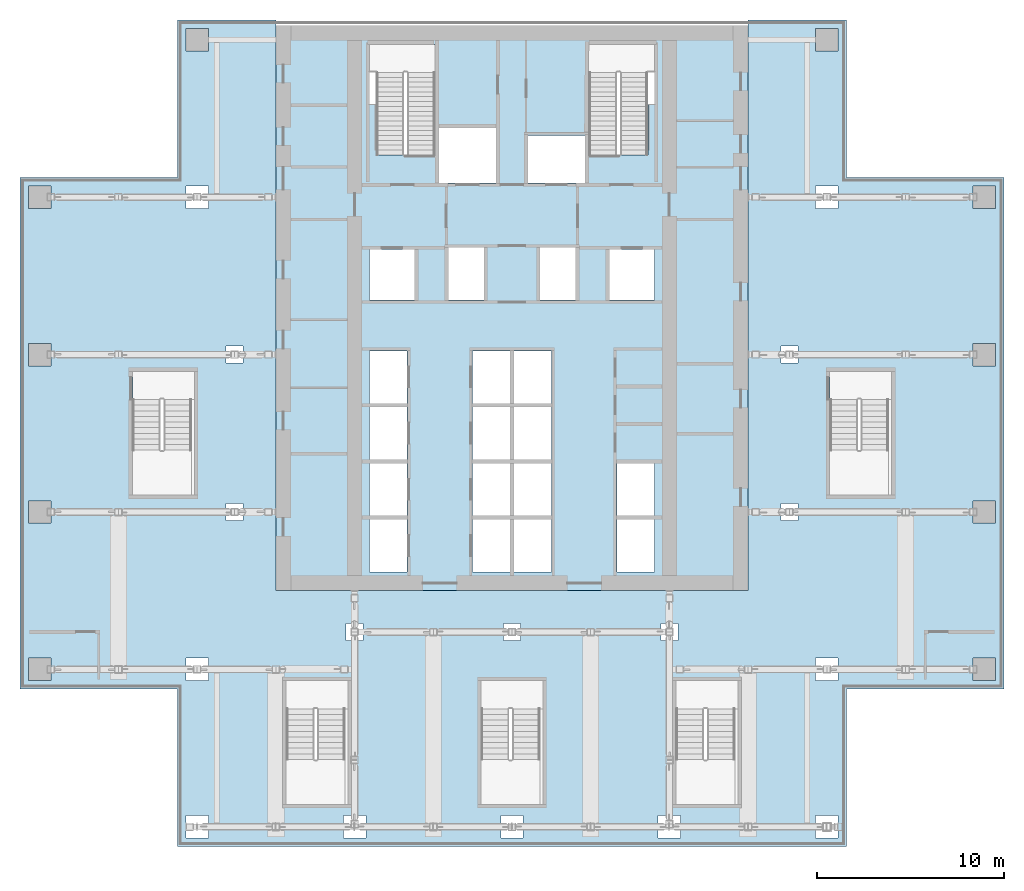
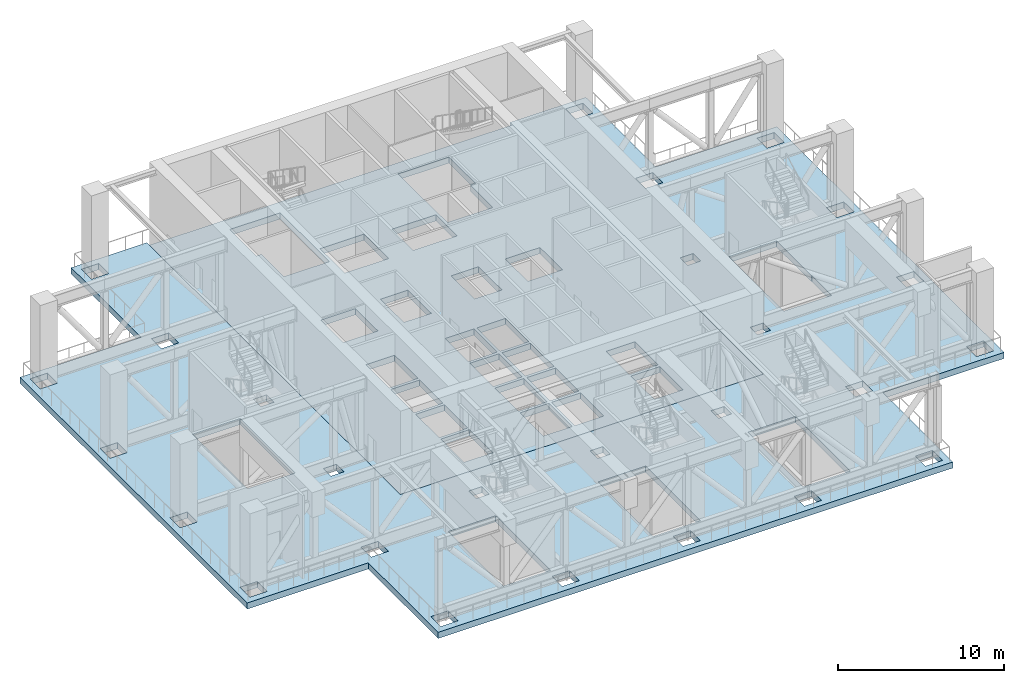
# One storey, part 7 of 23: 2 slabs.
"""IFC4 building model written with IfcOpenShell, lengths in metres."""

from ifc_helpers import new_model, si_unit, direction, frame, origin, place, context, subcontext, project, spatial, polyline, outline, extrude, material, layer, layer_set, type_object, element, save


model = new_model("IFC4")

# Units and contexts
model_context = context("Model", 3, precision=1e-05, world=origin(), true_north=direction((0.0, 1.0)))
body_context = subcontext(model_context, "Body", "Model", "MODEL_VIEW")
ifc_project = project(units=[si_unit("LENGTHUNIT", "METRE"), si_unit("AREAUNIT", "SQUARE_METRE"), si_unit("VOLUMEUNIT", "CUBIC_METRE"), si_unit("PLANEANGLEUNIT", "RADIAN"), si_unit("MASSUNIT", "GRAM", prefix="KILO")], contexts=[model_context])

# Site, building, storey
site_placement = place(None, origin())
site = spatial("IfcSite", under=ifc_project, at=site_placement, CompositionType="ELEMENT")
building_placement = place(site_placement, origin())
building = spatial("IfcBuilding", under=site, at=building_placement, Name="Vermilion Ogive Tower", CompositionType="ELEMENT")
storey_placement = place(building_placement, frame((0.0, 0.0, 121.800048828125)))
storey = spatial("IfcBuildingStorey", under=building, at=storey_placement, Name="L31", CompositionType="ELEMENT", Elevation=121.800048828125)

# Slabs
ifc_material_1 = material(Name="Concrete B40", Category="concrete")
ifc_layer_1 = layer(ifc_material_1, 0.449951171875)
ifc_layer_set_1 = layer_set([ifc_layer_1], Name="Core floor slab 450 B40")
slab_type_1 = type_object("IfcSlabType", Name="Core floor slab 450 B40", PredefinedType="FLOOR", material=ifc_layer_set_1)
slab_1_placement = place(storey_placement, frame((0.0, 0.0, -0.449951171875)))
element("IfcSlab", 1, at=slab_1_placement, inside=storey, type_object=slab_type_1, Name="L31-CK-FS1", PredefinedType="FLOOR", context=body_context, shape_type="SweptSolid", body=[
    extrude(outline(polyline([(12.60009765625, 21.75), (-12.60009765625, 21.75), (-12.60009765625, -8.39990234375), (12.60009765625, -8.39990234375), (12.60009765625, 21.75)]), holes=[polyline([(-7.60009765625, -4.60009765625), (-5.60009765625, -4.60009765625), (-5.60009765625, -7.39990234375), (-7.60009765625, -7.39990234375), (-7.60009765625, -4.60009765625)]), polyline([(-2.10009765625, -4.60009765625), (-0.10009765625, -4.60009765625), (-0.10009765625, -7.39990234375), (-2.10009765625, -7.39990234375), (-2.10009765625, -4.60009765625)]), polyline([(-7.60009765625, -4.39990234375), (-7.60009765625, -1.60009765625), (-5.60009765625, -1.60009765625), (-5.60009765625, -4.39990234375), (-7.60009765625, -4.39990234375)]), polyline([(-2.10009765625, -1.60009765625), (-0.10009765625, -1.60009765625), (-0.10009765625, -4.39990234375), (-2.10009765625, -4.39990234375), (-2.10009765625, -1.60009765625)]), polyline([(-7.60009765625, -1.39990234375), (-7.60009765625, 1.39990234375), (-5.60009765625, 1.39990234375), (-5.60009765625, -1.39990234375), (-7.60009765625, -1.39990234375)]), polyline([(-2.10009765625, 1.39990234375), (-0.10009765625, 1.39990234375), (-0.10009765625, -1.39990234375), (-2.10009765625, -1.39990234375), (-2.10009765625, 1.39990234375)]), polyline([(-7.60009765625, 4.39990234375), (-5.60009765625, 4.39990234375), (-5.60009765625, 1.60009765625), (-7.60009765625, 1.60009765625), (-7.60009765625, 4.39990234375)]), polyline([(-2.10009765625, 4.39990234375), (-0.10009765625, 4.39990234375), (-0.10009765625, 1.60009765625), (-2.10009765625, 1.60009765625), (-2.10009765625, 4.39990234375)]), polyline([(-7.60009765625, 9.800048828125), (-5.199951171875, 9.800048828125), (-5.199951171875, 7.10009765625), (-7.60009765625, 7.10009765625), (-7.60009765625, 9.800048828125)]), polyline([(-3.39990234375, 9.89990234375), (-1.5, 9.89990234375), (-1.5, 7.10009765625), (-3.39990234375, 7.10009765625), (-3.39990234375, 9.89990234375)]), polyline([(-3.89990234375, 16.300048828125), (-0.85009765625, 16.300048828125), (-0.85009765625, 13.35009765625), (-3.89990234375, 13.35009765625), (-3.89990234375, 16.300048828125)]), polyline([(-7.60009765625, 17.550048828125), (-7.60009765625, 20.75), (-4.10009765625, 20.75), (-4.10009765625, 14.85205078125), (-5.60009765625, 14.85205078125), (-5.60009765625, 14.85009765625), (-5.75, 14.85009765625), (-5.75, 14.85205078125), (-7.25, 14.85205078125), (-7.25, 17.550048828125), (-7.60009765625, 17.550048828125)]), polyline([(0.10009765625, -4.60009765625), (2.10009765625, -4.60009765625), (2.10009765625, -7.39990234375), (0.10009765625, -7.39990234375), (0.10009765625, -4.60009765625)]), polyline([(5.60009765625, -4.60009765625), (7.60009765625, -4.60009765625), (7.60009765625, -7.39990234375), (5.60009765625, -7.39990234375), (5.60009765625, -4.60009765625)]), polyline([(0.10009765625, -1.60009765625), (2.10009765625, -1.60009765625), (2.10009765625, -4.39990234375), (0.10009765625, -4.39990234375), (0.10009765625, -1.60009765625)]), polyline([(5.60009765625, -1.60009765625), (7.60009765625, -1.60009765625), (7.60009765625, -4.39990234375), (5.60009765625, -4.39990234375), (5.60009765625, -1.60009765625)]), polyline([(0.10009765625, 1.39990234375), (2.10009765625, 1.39990234375), (2.10009765625, -1.39990234375), (0.10009765625, -1.39990234375), (0.10009765625, 1.39990234375)]), polyline([(0.10009765625, 4.39990234375), (2.10009765625, 4.39990234375), (2.10009765625, 1.60009765625), (0.10009765625, 1.60009765625), (0.10009765625, 4.39990234375)]), polyline([(5.199951171875, 9.800048828125), (7.60009765625, 9.800048828125), (7.60009765625, 7.10009765625), (5.199951171875, 7.10009765625), (5.199951171875, 9.800048828125)]), polyline([(1.5, 9.89990234375), (3.39990234375, 9.89990234375), (3.39990234375, 7.10009765625), (1.5, 7.10009765625), (1.5, 9.89990234375)]), polyline([(0.85009765625, 15.89990234375), (3.89990234375, 15.89990234375), (3.89990234375, 13.35009765625), (0.85009765625, 13.35009765625), (0.85009765625, 15.89990234375)]), polyline([(5.75, 14.85009765625), (5.60009765625, 14.85009765625), (5.60009765625, 14.85205078125), (4.10009765625, 14.85205078125), (4.10009765625, 17.550048828125), (4.074951171875, 17.550048828125), (4.074951171875, 20.75), (7.60009765625, 20.75), (7.60009765625, 17.550048828125), (7.25, 17.550048828125), (7.25, 14.85205078125), (5.75, 14.85205078125), (5.75, 14.85009765625)])]), origin(), (0.0, 0.0, 1.0), 0.449951171875),
])
ifc_material_2 = material(Name="Concrete B45", Category="concrete")
ifc_layer_2 = layer(ifc_material_2, 0.449951171875)
ifc_layer_set_2 = layer_set([ifc_layer_2], Name="Post-tensioned flat plate 450 B45")
slab_type_2 = type_object("IfcSlabType", Name="Post-tensioned flat plate 450 B45", PredefinedType="FLOOR", material=ifc_layer_set_2)
slab_2_placement = place(storey_placement, frame((0.0, 0.0, -0.449951171875)))
element("IfcSlab", 2, at=slab_2_placement, inside=storey, type_object=slab_type_2, Name="L31-SL-1", PredefinedType="FLOOR", context=body_context, shape_type="SweptSolid", body=[
    extrude(outline(polyline([(-26.25, -13.64990234375), (-17.85009765625, -13.64990234375), (-17.85009765625, -22.050048828125), (17.85009765625, -22.050048828125), (17.85009765625, -13.64990234375), (26.25, -13.64990234375), (26.25, 13.64990234375), (17.85009765625, 13.64990234375), (17.85009765625, 22.050048828125), (12.60009765625, 22.050048828125), (12.60009765625, -8.39990234375), (-12.60009765625, -8.39990234375), (-12.60009765625, 22.050048828125), (-17.85009765625, 22.050048828125), (-17.85009765625, 13.64990234375), (-26.25, 13.64990234375), (-26.25, -13.64990234375)]), holes=[polyline([(25.800048828125, 13.199951171875), (25.800048828125, 12.0), (24.60009765625, 12.0), (24.60009765625, 13.199951171875), (25.800048828125, 13.199951171875)]), polyline([(25.800048828125, 4.800048828125), (25.800048828125, 3.60009765625), (24.60009765625, 3.60009765625), (24.60009765625, 4.800048828125), (25.800048828125, 4.800048828125)]), polyline([(25.800048828125, -3.60009765625), (25.800048828125, -4.800048828125), (24.60009765625, -4.800048828125), (24.60009765625, -3.60009765625), (25.800048828125, -3.60009765625)]), polyline([(25.800048828125, -12.0), (25.800048828125, -13.199951171875), (24.60009765625, -13.199951171875), (24.60009765625, -12.0), (25.800048828125, -12.0)]), polyline([(20.25, -3.2998046875), (20.25, -3.300048828125), (16.949951171875, -3.300048828125), (16.949951171875, 3.300048828125), (20.25, 3.300048828125), (20.25, -0.89990234375), (20.275146484375, -0.89990234375), (20.275146484375, -3.2998046875), (20.25, -3.2998046875)]), polyline([(17.39990234375, 13.199951171875), (17.39990234375, 12.0), (16.199951171875, 12.0), (16.199951171875, 13.199951171875), (17.39990234375, 13.199951171875)]), polyline([(17.39990234375, -20.39990234375), (17.39990234375, -21.60009765625), (16.199951171875, -21.60009765625), (16.199951171875, -20.39990234375), (17.39990234375, -20.39990234375)]), polyline([(17.39990234375, -12.0), (17.39990234375, -13.199951171875), (16.199951171875, -13.199951171875), (16.199951171875, -12.0), (17.39990234375, -12.0)]), polyline([(17.39990234375, 21.60009765625), (17.39990234375, 20.39990234375), (16.199951171875, 20.39990234375), (16.199951171875, 21.60009765625), (17.39990234375, 21.60009765625)]), polyline([(15.25, 4.64990234375), (15.25, 3.75), (14.35009765625, 3.75), (14.35009765625, 4.64990234375), (15.25, 4.64990234375)]), polyline([(15.25, -3.75), (15.25, -4.64990234375), (14.35009765625, -4.64990234375), (14.35009765625, -3.75), (15.25, -3.75)]), polyline([(12.050048828125, -13.199951171875), (12.050048828125, -19.800048828125), (8.75, -19.800048828125), (8.75, -13.199951171875), (12.050048828125, -13.199951171875)]), polyline([(9.0, -20.39990234375), (9.0, -21.60009765625), (7.800048828125, -21.60009765625), (7.800048828125, -20.39990234375), (9.0, -20.39990234375)]), polyline([(8.85009765625, -10.14990234375), (8.85009765625, -11.050048828125), (7.949951171875, -11.050048828125), (7.949951171875, -10.14990234375), (8.85009765625, -10.14990234375)]), polyline([(1.64990234375, -13.199951171875), (1.64990234375, -19.800048828125), (-1.64990234375, -19.800048828125), (-1.64990234375, -13.199951171875), (1.64990234375, -13.199951171875)]), polyline([(0.60009765625, -20.39990234375), (0.60009765625, -21.60009765625), (-0.60009765625, -21.60009765625), (-0.60009765625, -20.39990234375), (0.60009765625, -20.39990234375)]), polyline([(0.449951171875, -10.14990234375), (0.449951171875, -11.050048828125), (-0.449951171875, -11.050048828125), (-0.449951171875, -10.14990234375), (0.449951171875, -10.14990234375)]), polyline([(-7.800048828125, -20.39990234375), (-7.800048828125, -21.60009765625), (-9.0, -21.60009765625), (-9.0, -20.39990234375), (-7.800048828125, -20.39990234375)]), polyline([(-7.949951171875, -10.14990234375), (-7.949951171875, -11.050048828125), (-8.85009765625, -11.050048828125), (-8.85009765625, -10.14990234375), (-7.949951171875, -10.14990234375)]), polyline([(-8.75, -13.199951171875), (-8.75, -19.800048828125), (-12.050048828125, -19.800048828125), (-12.050048828125, -13.199951171875), (-8.75, -13.199951171875)]), polyline([(-14.35009765625, 4.64990234375), (-14.35009765625, 3.75), (-15.25, 3.75), (-15.25, 4.64990234375), (-14.35009765625, 4.64990234375)]), polyline([(-14.35009765625, -3.75), (-14.35009765625, -4.64990234375), (-15.25, -4.64990234375), (-15.25, -3.75), (-14.35009765625, -3.75)]), polyline([(-16.199951171875, 21.60009765625), (-16.199951171875, 20.39990234375), (-17.39990234375, 20.39990234375), (-17.39990234375, 21.60009765625), (-16.199951171875, 21.60009765625)]), polyline([(-16.199951171875, 13.199951171875), (-16.199951171875, 12.0), (-17.39990234375, 12.0), (-17.39990234375, 13.199951171875), (-16.199951171875, 13.199951171875)]), polyline([(-16.199951171875, -12.0), (-16.199951171875, -13.199951171875), (-17.39990234375, -13.199951171875), (-17.39990234375, -12.0), (-16.199951171875, -12.0)]), polyline([(-16.199951171875, -20.39990234375), (-16.199951171875, -21.60009765625), (-17.39990234375, -21.60009765625), (-17.39990234375, -20.39990234375), (-16.199951171875, -20.39990234375)]), polyline([(-16.949951171875, 3.300048828125), (-16.949951171875, -3.300048828125), (-20.25, -3.300048828125), (-20.25, 3.300048828125), (-16.949951171875, 3.300048828125)]), polyline([(-24.60009765625, -12.0), (-24.60009765625, -13.199951171875), (-25.800048828125, -13.199951171875), (-25.800048828125, -12.0), (-24.60009765625, -12.0)]), polyline([(-24.60009765625, 13.199951171875), (-24.60009765625, 12.0), (-25.800048828125, 12.0), (-25.800048828125, 13.199951171875), (-24.60009765625, 13.199951171875)]), polyline([(-24.60009765625, 4.800048828125), (-24.60009765625, 3.60009765625), (-25.800048828125, 3.60009765625), (-25.800048828125, 4.800048828125), (-24.60009765625, 4.800048828125)]), polyline([(-24.60009765625, -3.60009765625), (-24.60009765625, -4.800048828125), (-25.800048828125, -4.800048828125), (-25.800048828125, -3.60009765625), (-24.60009765625, -3.60009765625)])]), origin(), (0.0, 0.0, 1.0), 0.449951171875),
])

save(model, "model.ifc")
